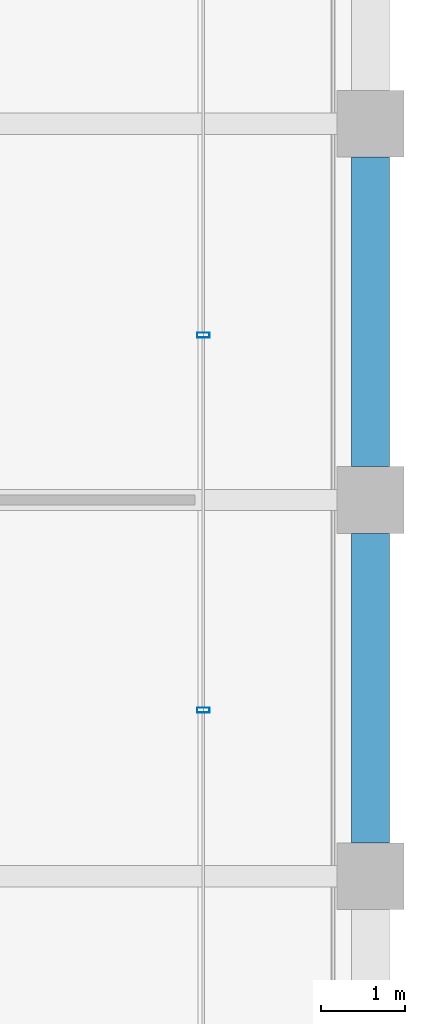
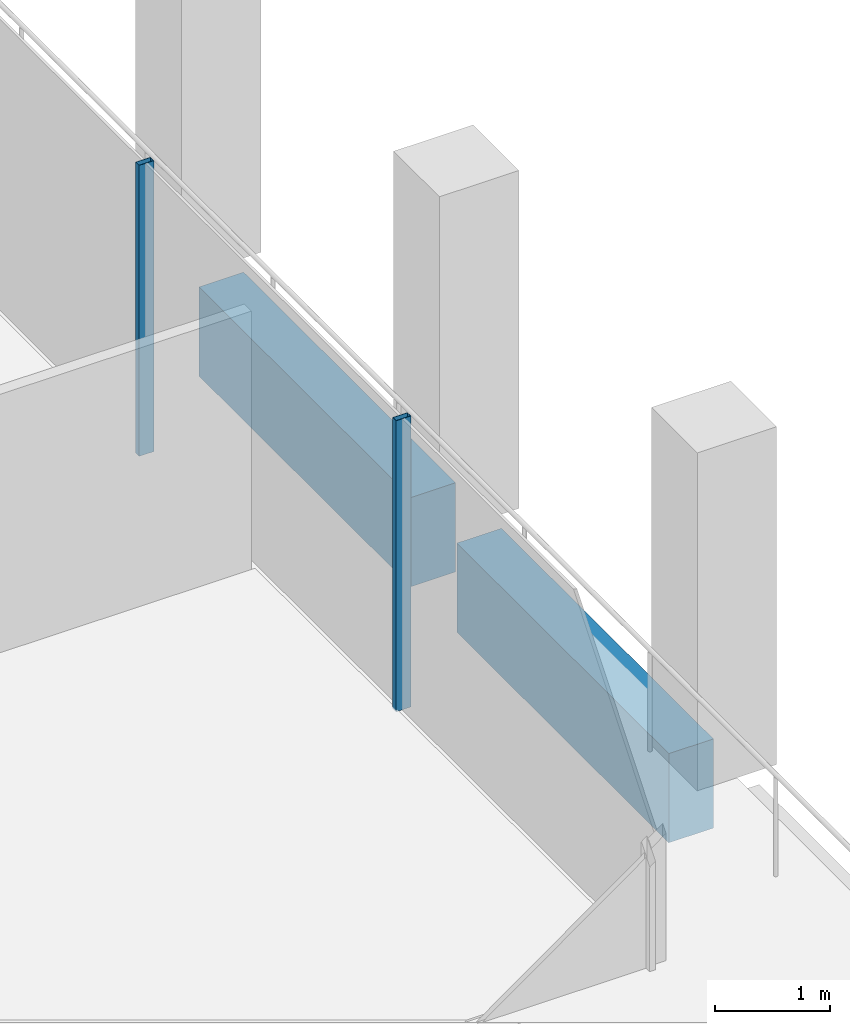
# One storey, part 15 of 30: 2 beams, 2 members, 1 element without a shape of its own.
"""IFC4 building model written with IfcOpenShell, lengths in metres."""

from ifc_helpers import new_model, si_unit, direction, frame, origin, origin_2d, place, context, subcontext, project, spatial, rectangle, hollow_rectangle, extrude, material, material_profile, profile_set, type_object, element, aggregate, save


model = new_model("IFC4")

# Units and contexts
model_context = context("Model", 3, precision=1e-05, world=origin(), true_north=direction((0.0, 1.0)))
body_context = subcontext(model_context, "Body", "Model", "MODEL_VIEW")
ifc_project = project(units=[si_unit("LENGTHUNIT", "METRE"), si_unit("AREAUNIT", "SQUARE_METRE"), si_unit("VOLUMEUNIT", "CUBIC_METRE"), si_unit("PLANEANGLEUNIT", "RADIAN"), si_unit("MASSUNIT", "GRAM", prefix="KILO")], contexts=[model_context])

# Site, building, storey
site_placement = place(None, origin())
site = spatial("IfcSite", under=ifc_project, at=site_placement, CompositionType="ELEMENT")
building_placement = place(site_placement, origin())
building = spatial("IfcBuilding", under=site, at=building_placement, Name="Altepetl Exchange Towers", CompositionType="ELEMENT")
storey_placement = place(building_placement, frame((0.0, 0.0, 238.800048828125)))
storey = spatial("IfcBuildingStorey", under=building, at=storey_placement, Name="L61", CompositionType="ELEMENT", Elevation=238.800048828125)

# Curtain wall, members
ifc_material_1 = material(Name="Aluminium 6063-T6 glazing", Category="aluminium")
curtain_wall_type = type_object("IfcCurtainWallType", Name="Loggia glazing system", PredefinedType="NOTDEFINED", material=ifc_material_1)
curtain_wall_placement = place(storey_placement, origin())
curtain_wall = element("IfcCurtainWall", 1, at=curtain_wall_placement, inside=storey, type_object=curtain_wall_type, Name="CW1 run", PredefinedType="NOTDEFINED")
ifc_material_2 = material(Name="Aluminium 6063-T6", Category="aluminium")
ifc_material_profile_1 = material_profile(ifc_material_2, hollow_rectangle(XDim=0.06005859375, YDim=0.14990234375, WallThickness=0.0029296875, at=origin_2d()), Name="Mullion 60x150 aluminium")
ifc_profile_set_1 = profile_set([ifc_material_profile_1], Name="Aluminium 6063-T6")
member_type = type_object("IfcMemberType", Name="Mullion 60x150 aluminium", PredefinedType="MULLION", material=ifc_profile_set_1)
member_1_placement = place(storey_placement, frame((70.0, 37.986083984375, 0.0), z_axis=(0.0, 0.0, 1.0), x_axis=(0.0, 1.0, 0.0)))
member_1 = element("IfcMember", 2, at=member_1_placement, type_object=member_type, Name="MU1 mullion", PredefinedType="MULLION", context=body_context, shape_type="SweptSolid", body=[
    extrude(hollow_rectangle(XDim=0.06005859375, YDim=0.14990234375, WallThickness=0.0029296875, at=origin_2d()), origin(), (0.0, 0.0, 1.0), 3.099853515625),
])
member_2_placement = place(storey_placement, frame((70.0, 42.471923828125, 0.0), z_axis=(0.0, 0.0, 1.0), x_axis=(0.0, 1.0, 0.0)))
member_2 = element("IfcMember", 3, at=member_2_placement, type_object=member_type, Name="MU1 mullion", PredefinedType="MULLION", context=body_context, shape_type="SweptSolid", body=[
    extrude(hollow_rectangle(XDim=0.06005859375, YDim=0.14990234375, WallThickness=0.0029296875, at=origin_2d()), origin(), (0.0, 0.0, 1.0), 3.099853515625),
])
aggregate(curtain_wall, [member_1, member_2])

# Beams
ifc_material_3 = material(Name="Concrete C50/60 precast with cantera amarilla facing", Category="concrete")
ifc_material_profile_2 = material_profile(ifc_material_3, rectangle(XDim=0.449951171875, YDim=0.949951171875, at=origin_2d()), Name="450 x 950")
ifc_profile_set_2 = profile_set([ifc_material_profile_2], Name="Concrete C50/60 precast with cantera amarilla facing")
beam_type = type_object("IfcBeamType", Name="Spandrel beam 450x950 cantera amarilla", PredefinedType="SPANDREL", material=ifc_profile_set_2)
for number, where, z_axis, x_axis, name in (
    (4, (72.0, 36.39990234375, -0.625), (0.0, 1.0, 0.0), (-1.0, 0.0, 0.0), "sp:A:L61:013"),
    (5, (72.0, 40.89990234375, -0.625), (0.0, 1.0, 0.0), (-1.0, 0.0, 0.0), "sp:A:L61:014"),
):
    element("IfcBeam", number, at=place(storey_placement, frame(where, z_axis=z_axis, x_axis=x_axis)), inside=storey, type_object=beam_type, Name=name, PredefinedType="SPANDREL", context=body_context, shape_type="SweptSolid", body=[
        extrude(rectangle(XDim=0.449951171875, YDim=0.949951171875, at=origin_2d()), origin(), (0.0, 0.0, 1.0), 3.7001953125),
    ])

save(model, "model.ifc")
